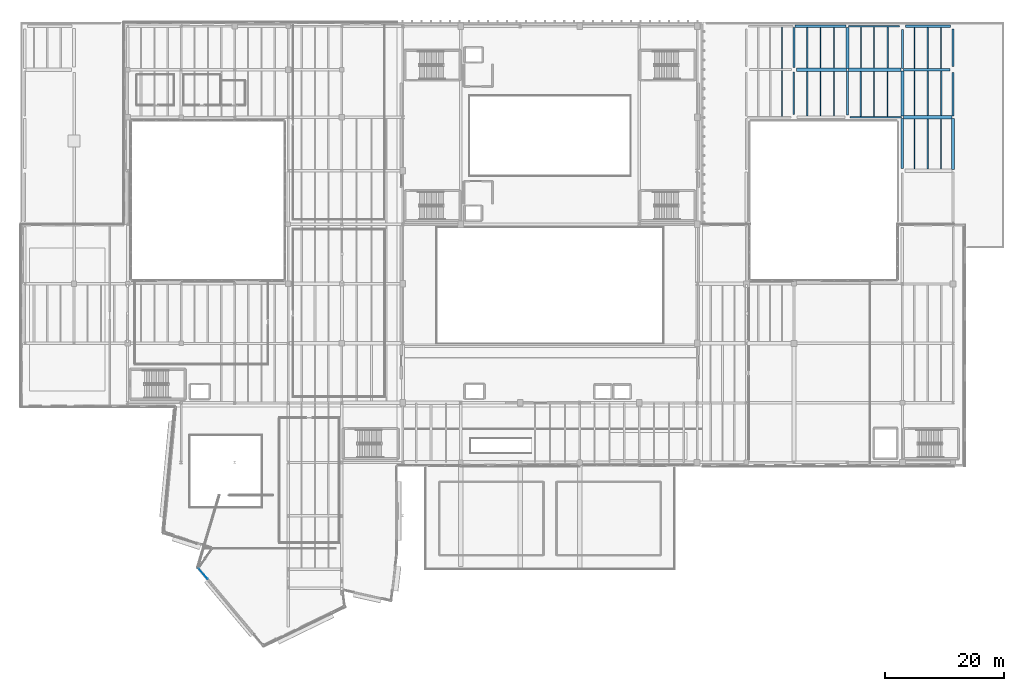
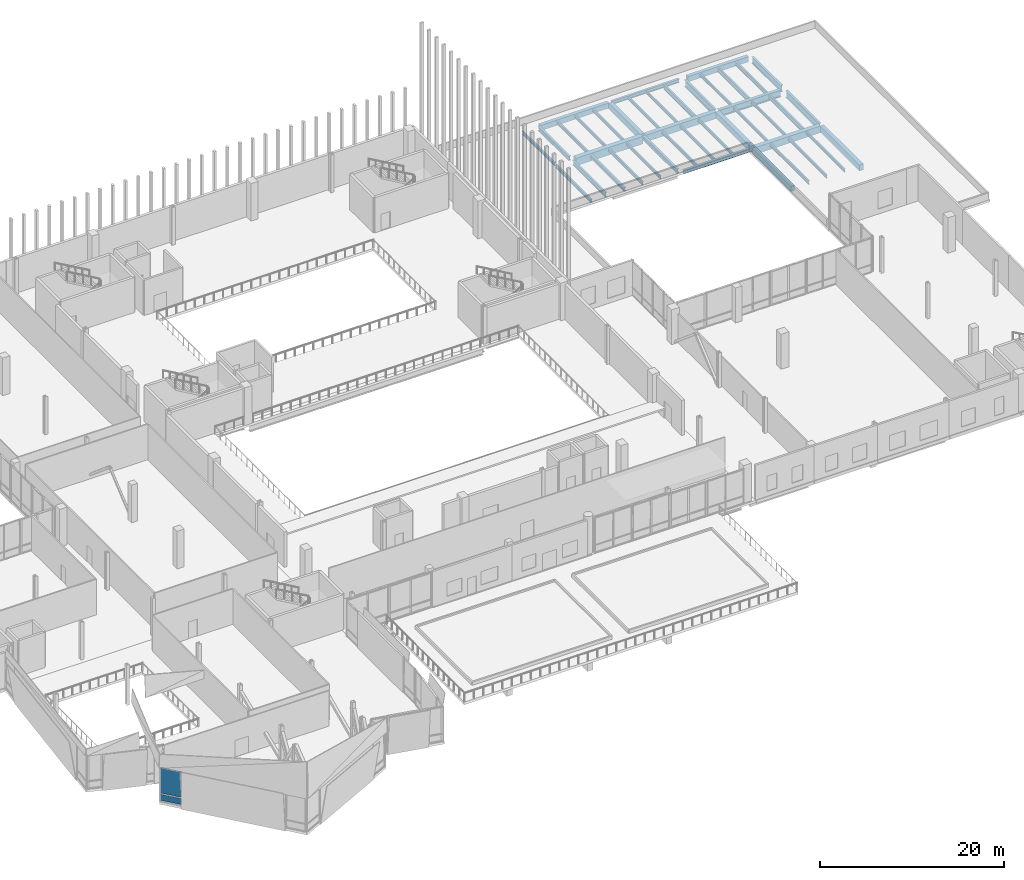
# One storey, part 34 of 60: 41 beams, 2 plates, 1 element without a shape of its own.
"""IFC4 building model written with IfcOpenShell, lengths in metres."""

import ifcopenshell
import ifcopenshell.guid

model = None  # the IFC model being written
_history = None  # IfcOwnerHistory: only IFC2X3 demands one
_inside = {}  # id of a spatial element -> (the spatial element, [elements in it])
_under = {}  # id of a project, library or spatial element -> (it, [spatial elements below it])
_declared = {}  # id of a project -> (the project, [libraries it declares])
_typed = {}  # id of a type object -> (the type object, [elements of that type])
_made_of = {}  # id of a material, layer set ... -> (it, [elements and type objects made of it])


def new_model(schema):
    """Start an empty IFC model of exactly this schema.

    Asked for "IFC4X3", IfcOpenShell would pick the latest addendum, in which some entities
    have other attributes; the version numbers below select the first issue.
    IFC2X3 requires an IfcOwnerHistory on every rooted entity: one is made here for all.
    """
    global model, _history
    if schema == "IFC4X3":
        model = ifcopenshell.file(schema_version=(4, 3, 0, 0))
    else:
        model = ifcopenshell.file(schema=schema)
    _inside.clear()
    _under.clear()
    _declared.clear()
    _typed.clear()
    _made_of.clear()
    _history = None
    if model.schema == "IFC2X3":
        org = make("IfcOrganization", Name="unknown")
        user = make(
            "IfcPersonAndOrganization",
            ThePerson=make("IfcPerson", FamilyName="unknown"),
            TheOrganization=org,
        )
        app = make(
            "IfcApplication",
            ApplicationDeveloper=org,
            Version="unknown",
            ApplicationFullName="unknown",
            ApplicationIdentifier="unknown",
        )
        _history = make(
            "IfcOwnerHistory",
            OwningUser=user,
            OwningApplication=app,
            ChangeAction="ADDED",
            CreationDate=0,
        )
    return model


def make(cls, **values):
    """One entity of the class cls with the attributes given. An attribute that is None is left unset."""
    return model.create_entity(
        cls, **{name: value for name, value in values.items() if value is not None}
    )


def rooted(cls, **values):
    """An entity with a GlobalId (a new one), such as an element, a storey or a relation."""
    return make(cls, GlobalId=ifcopenshell.guid.new(), OwnerHistory=_history, **values)


def si_unit(unit_type, name, prefix=None):
    """IfcSIUnit, for example si_unit("LENGTHUNIT", "METRE", prefix="MILLI")."""
    return make("IfcSIUnit", UnitType=unit_type, Prefix=prefix, Name=name)


def assignment(units):
    """IfcUnitAssignment: the units of a project."""
    return None if units is None else make("IfcUnitAssignment", Units=units)


def point(xyz):
    """IfcCartesianPoint."""
    return None if xyz is None else make("IfcCartesianPoint", Coordinates=xyz)


def direction(xyz):
    """IfcDirection."""
    return None if xyz is None else make("IfcDirection", DirectionRatios=xyz)


def frame(location, z_axis=None, x_axis=None):
    """IfcAxis2Placement3D, a coordinate frame: its origin and axes. An axis left out is left unset."""
    return make(
        "IfcAxis2Placement3D",
        Location=point(location),
        Axis=direction(z_axis),
        RefDirection=direction(x_axis),
    )


def frame_2d(location, x_axis=None):
    """IfcAxis2Placement2D, a coordinate frame in the plane: its origin and x axis."""
    return make(
        "IfcAxis2Placement2D", Location=point(location), RefDirection=direction(x_axis)
    )


def origin():
    """The frame at (0, 0, 0) with its axes left unset."""
    return frame((0.0, 0.0, 0.0))


def origin_2d():
    """The frame at (0, 0) in the plane with its x axis left unset."""
    return frame_2d((0.0, 0.0))


def place(relative_to, where):
    """IfcLocalPlacement: puts the frame where relative to a parent placement (None: the world)."""
    return make(
        "IfcLocalPlacement", PlacementRelTo=relative_to, RelativePlacement=where
    )


def context(
    kind, dimensions, precision=None, world=None, true_north=None, identifier=None
):
    """IfcGeometricRepresentationContext, for example the 3D "Model" context."""
    return make(
        "IfcGeometricRepresentationContext",
        ContextIdentifier=identifier,
        ContextType=kind,
        CoordinateSpaceDimension=dimensions,
        Precision=precision,
        WorldCoordinateSystem=world,
        TrueNorth=true_north,
    )


def subcontext(parent, identifier, kind, view, scale=None):
    """IfcGeometricRepresentationSubContext, for example "Body" below "Model"."""
    return make(
        "IfcGeometricRepresentationSubContext",
        ContextIdentifier=identifier,
        ContextType=kind,
        ParentContext=parent,
        TargetScale=scale,
        TargetView=view,
    )


def project(units=None, contexts=None):
    """IfcProject with its units and contexts."""
    return rooted(
        "IfcProject",
        Name="project",
        RepresentationContexts=contexts,
        UnitsInContext=assignment(units),
    )


def spatial(cls, under=None, at=None, **own):
    """A site, building, storey or space (cls), placed at a placement, below another one or the project."""
    s = rooted(cls, ObjectPlacement=at, **own)
    if under is not None:
        _under.setdefault(under.id(), (under, []))[1].append(s)
    return s


def profile(cls, at=None, kind="AREA", **sizes):
    """A parametric profile (cls). Its sizes go by their IFC names, for example OverallWidth=200.0."""
    return make(cls, ProfileType=kind, Position=at, **sizes)


def rectangle(**sizes):
    """IfcRectangleProfileDef."""
    return profile("IfcRectangleProfileDef", **sizes)


def i_section(**sizes):
    """IfcIShapeProfileDef."""
    return profile("IfcIShapeProfileDef", **sizes)


def extrude(swept, where, along, depth):
    """IfcExtrudedAreaSolid: the profile swept, set in the frame where, extruded along a direction by depth."""
    return make(
        "IfcExtrudedAreaSolid",
        SweptArea=swept,
        Position=where,
        ExtrudedDirection=direction(along),
        Depth=depth,
    )


def shape(context_of_items, identifier, shape_type, items):
    """IfcShapeRepresentation: the items that make up one representation, for example the "Body"."""
    return make(
        "IfcShapeRepresentation",
        ContextOfItems=context_of_items,
        RepresentationIdentifier=identifier,
        RepresentationType=shape_type,
        Items=items,
    )


def material(Name=None, Category=None):
    """IfcMaterial."""
    return make("IfcMaterial", Name=Name, Category=Category)


def layer(
    of_material, thickness, ventilated=None, Name=None, Category=None, Priority=None
):
    """IfcMaterialLayer: one layer of a wall or slab, of a material (None: an air gap)."""
    return make(
        "IfcMaterialLayer",
        Material=of_material,
        LayerThickness=thickness,
        IsVentilated=ventilated,
        Name=Name,
        Category=Category,
        Priority=Priority,
    )


def layer_set(layers, Name=None):
    """IfcMaterialLayerSet."""
    return make("IfcMaterialLayerSet", MaterialLayers=layers, LayerSetName=Name)


def material_profile(
    of_material, cross_section, Name=None, Category=None, Priority=None
):
    """IfcMaterialProfile: a cross section and its material."""
    return make(
        "IfcMaterialProfile",
        Name=Name,
        Material=of_material,
        Profile=cross_section,
        Priority=Priority,
        Category=Category,
    )


def profile_set(profiles, Name=None, composite=None):
    """IfcMaterialProfileSet."""
    return make(
        "IfcMaterialProfileSet",
        Name=Name,
        MaterialProfiles=profiles,
        CompositeProfile=composite,
    )


def made_of(thing, what):
    """Note that an element or type object is made of a material, layer set ...; save() writes the relation."""
    if what is not None:
        _made_of.setdefault(what.id(), (what, []))[1].append(thing)
    return thing


def type_object(cls, material=None, **own):
    """A type object (cls), such as IfcWallType, which elements share."""
    return made_of(rooted(cls, **own), material)


def element(
    cls,
    number,
    at=None,
    inside=None,
    cuts=None,
    type_object=None,
    material=None,
    context=None,
    identifier="Body",
    shape_type=None,
    held_by="IfcProductDefinitionShape",
    body=None,
    shapes=None,
    **own,
):
    """One element of the class cls, such as IfcWall. Its Tag is "e" and its number.

    at: its placement. inside: the storey or other place that contains it. cuts: it is an
    opening in that element (IfcRelVoidsElement). A single representation is given by context,
    identifier, shape_type and body (its items); several are given by shapes. held_by: the class
    of the entity that holds the representations. save() writes the other relations.
    """
    e = rooted(cls, Tag="e%d" % number, ObjectPlacement=at, **own)
    if body is not None:
        shapes = [shape(context, identifier, shape_type, body)]
    if shapes is not None:
        e.Representation = make(held_by, Representations=shapes)
    if inside is not None:
        _inside.setdefault(inside.id(), (inside, []))[1].append(e)
    if cuts is not None:
        rooted(
            "IfcRelVoidsElement", RelatingBuildingElement=cuts, RelatedOpeningElement=e
        )
    if type_object is not None:
        _typed.setdefault(type_object.id(), (type_object, []))[1].append(e)
    return made_of(e, material)


def aggregate(whole, parts):
    """IfcRelAggregates: a whole, such as a stair, and the parts it consists of."""
    return rooted("IfcRelAggregates", RelatingObject=whole, RelatedObjects=parts)


def save(model, path):
    """Write the relations noted so far, then the file.

    IfcRelAggregates (storeys below a building ...), IfcRelContainedInSpatialStructure (elements
    in a storey), IfcRelDefinesByType, IfcRelAssociatesMaterial and IfcRelDeclares: one each for
    every whole, place, type object, material and project.
    """
    for whole, parts in _under.values():
        aggregate(whole, parts)
    for where, things in _inside.values():
        rooted(
            "IfcRelContainedInSpatialStructure",
            RelatedElements=things,
            RelatingStructure=where,
        )
    for kind, things in _typed.values():
        rooted("IfcRelDefinesByType", RelatedObjects=things, RelatingType=kind)
    for what, things in _made_of.values():
        rooted("IfcRelAssociatesMaterial", RelatedObjects=things, RelatingMaterial=what)
    for by, libraries in _declared.values():
        rooted("IfcRelDeclares", RelatingContext=by, RelatedDefinitions=libraries)
    model.write(path)


model = new_model("IFC4")

# Units and contexts
model_context = context("Model", 3, precision=1e-05, world=origin(), true_north=direction((0.0, 1.0)))
body_context = subcontext(model_context, "Body", "Model", "MODEL_VIEW")
ifc_project = project(units=[si_unit("LENGTHUNIT", "METRE"), si_unit("AREAUNIT", "SQUARE_METRE"), si_unit("VOLUMEUNIT", "CUBIC_METRE"), si_unit("PLANEANGLEUNIT", "RADIAN"), si_unit("MASSUNIT", "GRAM", prefix="KILO")], contexts=[model_context])

# Site, building, storey
site_placement = place(None, origin())
site = spatial("IfcSite", under=ifc_project, at=site_placement, CompositionType="ELEMENT")
building_placement = place(site_placement, origin())
building = spatial("IfcBuilding", under=site, at=building_placement, Name="Trimount Lyric Opera House", CompositionType="ELEMENT")
storey_placement = place(building_placement, frame((0.0, 0.0, 15.0)))
storey = spatial("IfcBuildingStorey", under=building, at=storey_placement, Name="L03", CompositionType="ELEMENT", Elevation=15.0)

# Beams
ifc_material_1 = material(Name="Steel ASTM A992 Grade 50", Category="steel")
ifc_material_profile_1 = material_profile(ifc_material_1, i_section(OverallWidth=0.4189453125, OverallDepth=0.927001953125, WebThickness=0.019287109375, FlangeThickness=0.031982421875, FilletRadius=0.02392578125, at=origin_2d()), Name="W36X231")
ifc_profile_set_1 = profile_set([ifc_material_profile_1], Name="Steel ASTM A992 Grade 50")
beam_type_1 = type_object("IfcBeamType", Name="B-02", PredefinedType="BEAM", material=ifc_profile_set_1)
beam_1_placement = place(storey_placement, frame((148.439453125, 110.0, -0.75341796875), z_axis=(1.0, 0.0, 0.0), x_axis=(0.0, 1.0, 0.0)))
element("IfcBeam", 1, at=beam_1_placement, inside=storey, type_object=beam_type_1, Name="L03 girder X-1014", PredefinedType="BEAM", context=body_context, shape_type="SweptSolid", body=[
    extrude(i_section(OverallWidth=0.4189453125, OverallDepth=0.927001953125, WebThickness=0.019287109375, FlangeThickness=0.031982421875, FilletRadius=0.02392578125, at=origin_2d()), origin(), (0.0, 0.0, 1.0), 7.820556640625),
])
ifc_material_2 = material(Name="Steel ASTM A992 Grade 50", Category="steel")
ifc_material_profile_2 = material_profile(ifc_material_2, i_section(OverallWidth=0.304931640625, OverallDepth=0.9189453125, WebThickness=0.017333984375, FlangeThickness=0.02783203125, FilletRadius=0.02001953125, at=origin_2d()), Name="W36X170")
ifc_profile_set_2 = profile_set([ifc_material_profile_2], Name="Steel ASTM A992 Grade 50")
beam_type_2 = type_object("IfcBeamType", Name="B-03", PredefinedType="BEAM", material=ifc_profile_set_2)
beam_2_placement = place(storey_placement, frame((148.239990234375, 110.193115234375, -0.74951171875), z_axis=(0.0, 1.0, 0.0), x_axis=(-1.0, 0.0, 0.0)))
element("IfcBeam", 2, at=beam_2_placement, inside=storey, type_object=beam_type_2, Name="L03 girder Y-1117", PredefinedType="BEAM", context=body_context, shape_type="SweptSolid", body=[
    extrude(i_section(OverallWidth=0.304931640625, OverallDepth=0.9189453125, WebThickness=0.017333984375, FlangeThickness=0.02783203125, FilletRadius=0.02001953125, at=origin_2d()), origin(), (0.0, 0.0, 1.0), 6.5869140625),
])
beam_3_placement = place(storey_placement, frame((156.760009765625, 102.193115234375, -0.74951171875), z_axis=(0.0, 1.0, 0.0), x_axis=(-1.0, 0.0, 0.0)))
element("IfcBeam", 3, at=beam_3_placement, inside=storey, type_object=beam_type_2, Name="L03 girder Y-1123", PredefinedType="BEAM", context=body_context, shape_type="SweptSolid", body=[
    extrude(i_section(OverallWidth=0.304931640625, OverallDepth=0.9189453125, WebThickness=0.017333984375, FlangeThickness=0.02783203125, FilletRadius=0.02001953125, at=origin_2d()), origin(), (0.0, 0.0, 1.0), 7.306884765625),
])
ifc_material_3 = material(Name="Steel ASTM A992 Grade 50", Category="steel")
ifc_material_profile_3 = material_profile(ifc_material_3, i_section(OverallWidth=0.2919921875, OverallDepth=0.845947265625, WebThickness=0.015380859375, FlangeThickness=0.0244140625, FilletRadius=0.01806640625, at=origin_2d()), Name="W33X141")
ifc_profile_set_3 = profile_set([ifc_material_profile_3], Name="Steel ASTM A992 Grade 50")
beam_type_3 = type_object("IfcBeamType", Name="B-05", PredefinedType="BEAM", material=ifc_profile_set_3)
beam_4_placement = place(storey_placement, frame((156.760009765625, 110.5, -0.712890625), z_axis=(0.0, 1.0, 0.0), x_axis=(-1.0, 0.0, 0.0)))
element("IfcBeam", 4, at=beam_4_placement, inside=storey, type_object=beam_type_3, Name="L03 girder Y-1124", PredefinedType="BEAM", context=body_context, shape_type="SweptSolid", body=[
    extrude(i_section(OverallWidth=0.2919921875, OverallDepth=0.845947265625, WebThickness=0.015380859375, FlangeThickness=0.0244140625, FilletRadius=0.01806640625, at=origin_2d()), origin(), (0.0, 0.0, 1.0), 6.3798828125),
])
ifc_material_4 = material(Name="Steel ASTM A992 Grade 50", Category="steel")
ifc_material_profile_4 = material_profile(ifc_material_4, i_section(OverallWidth=0.22998046875, OverallDepth=0.616943359375, WebThickness=0.01318359375, FlangeThickness=0.022216796875, FilletRadius=0.013916015625, at=origin_2d()), Name="W24X94")
ifc_profile_set_4 = profile_set([ifc_material_profile_4], Name="Steel ASTM A992 Grade 50")
beam_type_4 = type_object("IfcBeamType", Name="B-11", PredefinedType="BEAM", material=ifc_profile_set_4)
beam_5_placement = place(storey_placement, frame((130.0, 102.5, -0.598388671875), z_axis=(0.0, 1.0, 0.0), x_axis=(-1.0, 0.0, 0.0)))
element("IfcBeam", 5, at=beam_5_placement, inside=storey, type_object=beam_type_4, Name="L03 girder Y-1106", PredefinedType="BEAM", context=body_context, shape_type="SweptSolid", body=[
    extrude(i_section(OverallWidth=0.22998046875, OverallDepth=0.616943359375, WebThickness=0.01318359375, FlangeThickness=0.022216796875, FilletRadius=0.013916015625, at=origin_2d()), origin(), (0.0, 0.0, 1.0), 7.10009765625),
])
ifc_material_5 = material(Name="Steel ASTM A992 Grade 50", Category="steel")
ifc_material_profile_5 = material_profile(ifc_material_5, i_section(OverallWidth=0.31201171875, OverallDepth=0.5458984375, WebThickness=0.013916015625, FlangeThickness=0.022216796875, FilletRadius=0.014892578125, at=origin_2d()), Name="W21X111")
ifc_profile_set_5 = profile_set([ifc_material_profile_5], Name="Steel ASTM A992 Grade 50")
beam_type_5 = type_object("IfcBeamType", Name="B-12", PredefinedType="BEAM", material=ifc_profile_set_5)
beam_6_placement = place(storey_placement, frame((130.0, 110.39990234375, -0.56298828125), z_axis=(0.0, 1.0, 0.0), x_axis=(-1.0, 0.0, 0.0)))
element("IfcBeam", 6, at=beam_6_placement, inside=storey, type_object=beam_type_5, Name="L03 girder Y-1107", PredefinedType="BEAM", context=body_context, shape_type="SweptSolid", body=[
    extrude(i_section(OverallWidth=0.31201171875, OverallDepth=0.5458984375, WebThickness=0.013916015625, FlangeThickness=0.022216796875, FilletRadius=0.014892578125, at=origin_2d()), origin(), (0.0, 0.0, 1.0), 6.696044921875),
])
beam_7_placement = place(storey_placement, frame((139.0, 102.39990234375, -0.56298828125), z_axis=(0.0, 1.0, 0.0), x_axis=(-1.0, 0.0, 0.0)))
element("IfcBeam", 7, at=beam_7_placement, inside=storey, type_object=beam_type_5, Name="L03 girder Y-1108", PredefinedType="BEAM", context=body_context, shape_type="SweptSolid", body=[
    extrude(i_section(OverallWidth=0.31201171875, OverallDepth=0.5458984375, WebThickness=0.013916015625, FlangeThickness=0.022216796875, FilletRadius=0.014892578125, at=origin_2d()), origin(), (0.0, 0.0, 1.0), 7.416015625),
])
ifc_material_6 = material(Name="Concrete C40/50", Category="concrete")
ifc_material_profile_6 = material_profile(ifc_material_6, rectangle(XDim=0.60009765625, YDim=1.0, at=origin_2d()), Name="RC600X1000")
ifc_profile_set_6 = profile_set([ifc_material_profile_6], Name="Concrete C40/50")
beam_type_6 = type_object("IfcBeamType", Name="B-13", PredefinedType="BEAM", material=ifc_profile_set_6)
beam_8_placement = place(storey_placement, frame((130.39990234375, 110.0, -0.7900390625), z_axis=(1.0, 0.0, 0.0), x_axis=(0.0, 1.0, 0.0)))
element("IfcBeam", 8, at=beam_8_placement, inside=storey, type_object=beam_type_6, Name="L03 girder X-1012", PredefinedType="BEAM", context=body_context, shape_type="SweptSolid", body=[
    extrude(rectangle(XDim=0.60009765625, YDim=1.0, at=origin_2d()), origin(), (0.0, 0.0, 1.0), 8.41357421875),
])
ifc_material_7 = material(Name="Concrete C40/50", Category="concrete")
ifc_material_profile_7 = material_profile(ifc_material_7, rectangle(XDim=0.550048828125, YDim=0.89990234375, at=origin_2d()), Name="RC550X900")
ifc_profile_set_7 = profile_set([ifc_material_profile_7], Name="Concrete C40/50")
beam_type_7 = type_object("IfcBeamType", Name="B-14", PredefinedType="BEAM", material=ifc_profile_set_7)
beam_9_placement = place(storey_placement, frame((148.426513671875, 102.0, -0.739990234375), z_axis=(1.0, 0.0, 0.0), x_axis=(0.0, 1.0, 0.0)))
element("IfcBeam", 9, at=beam_9_placement, inside=storey, type_object=beam_type_7, Name="L03 girder X-1005", PredefinedType="BEAM", context=body_context, shape_type="SweptSolid", body=[
    extrude(rectangle(XDim=0.550048828125, YDim=0.89990234375, at=origin_2d()), origin(), (0.0, 0.0, 1.0), 8.134033203125),
])
beam_10_placement = place(storey_placement, frame((139.1865234375, 110.0, -0.739990234375), z_axis=(1.0, 0.0, 0.0), x_axis=(0.0, 1.0, 0.0)))
element("IfcBeam", 10, at=beam_10_placement, inside=storey, type_object=beam_type_7, Name="L03 girder X-1013", PredefinedType="BEAM", context=body_context, shape_type="SweptSolid", body=[
    extrude(rectangle(XDim=0.550048828125, YDim=0.89990234375, at=origin_2d()), origin(), (0.0, 0.0, 1.0), 8.85400390625),
])
ifc_material_8 = material(Name="Concrete C40/50", Category="concrete")
ifc_material_profile_8 = material_profile(ifc_material_8, rectangle(XDim=0.5, YDim=0.800048828125, at=origin_2d()), Name="RC500X800")
ifc_profile_set_8 = profile_set([ifc_material_profile_8], Name="Concrete C40/50")
beam_type_8 = type_object("IfcBeamType", Name="B-15", PredefinedType="BEAM", material=ifc_profile_set_8)
beam_11_placement = place(storey_placement, frame((139.0, 110.18408203125, -0.68994140625), z_axis=(0.0, 1.0, 0.0), x_axis=(-1.0, 0.0, 0.0)))
element("IfcBeam", 11, at=beam_11_placement, inside=storey, type_object=beam_type_8, Name="L03 girder Y-1109", PredefinedType="BEAM", context=body_context, shape_type="SweptSolid", body=[
    extrude(rectangle(XDim=0.5, YDim=0.800048828125, at=origin_2d()), origin(), (0.0, 0.0, 1.0), 6.90283203125),
])
beam_12_placement = place(storey_placement, frame((148.239990234375, 102.18408203125, -0.68994140625), z_axis=(0.0, 1.0, 0.0), x_axis=(-1.0, 0.0, 0.0)))
element("IfcBeam", 12, at=beam_12_placement, inside=storey, type_object=beam_type_8, Name="L03 girder Y-1116", PredefinedType="BEAM", context=body_context, shape_type="SweptSolid", body=[
    extrude(rectangle(XDim=0.5, YDim=0.800048828125, at=origin_2d()), origin(), (0.0, 0.0, 1.0), 7.622802734375),
])
beam_13_placement = place(storey_placement, frame((156.760009765625, 93.18408203125, -0.68994140625), z_axis=(0.0, 1.0, 0.0), x_axis=(-1.0, 0.0, 0.0)))
element("IfcBeam", 13, at=beam_13_placement, inside=storey, type_object=beam_type_8, Name="L03 girder Y-1122", PredefinedType="BEAM", context=body_context, shape_type="SweptSolid", body=[
    extrude(rectangle(XDim=0.5, YDim=0.800048828125, at=origin_2d()), origin(), (0.0, 0.0, 1.0), 8.622802734375),
])
ifc_material_9 = material(Name="Steel ASTM A992 Grade 50", Category="steel")
ifc_material_profile_9 = material_profile(ifc_material_9, i_section(OverallWidth=0.22802734375, OverallDepth=0.60205078125, WebThickness=0.010498046875, FlangeThickness=0.014892578125, FilletRadius=0.012939453125, at=origin_2d()), Name="W24X68")
ifc_profile_set_9 = profile_set([ifc_material_profile_9], Name="Steel ASTM A992 Grade 50")
beam_type_9 = type_object("IfcBeamType", Name="J-01", PredefinedType="BEAM", material=ifc_profile_set_9)
beam_14_placement = place(storey_placement, frame((145.75, 110.27099609375, -0.591064453125), z_axis=(0.0, 1.0, 0.0), x_axis=(-1.0, 0.0, 0.0)))
element("IfcBeam", 14, at=beam_14_placement, inside=storey, type_object=beam_type_9, Name="L03 composite floor joist 1115", PredefinedType="BEAM", context=body_context, shape_type="SweptSolid", body=[
    extrude(i_section(OverallWidth=0.22802734375, OverallDepth=0.60205078125, WebThickness=0.010498046875, FlangeThickness=0.014892578125, FilletRadius=0.012939453125, at=origin_2d()), origin(), (0.0, 0.0, 1.0), 6.8720703125),
])
beam_15_placement = place(storey_placement, frame((154.75, 102.27099609375, -0.591064453125), z_axis=(0.0, 1.0, 0.0), x_axis=(-1.0, 0.0, 0.0)))
element("IfcBeam", 15, at=beam_15_placement, inside=storey, type_object=beam_type_9, Name="L03 composite floor joist 1127", PredefinedType="BEAM", context=body_context, shape_type="SweptSolid", body=[
    extrude(i_section(OverallWidth=0.22802734375, OverallDepth=0.60205078125, WebThickness=0.010498046875, FlangeThickness=0.014892578125, FilletRadius=0.012939453125, at=origin_2d()), origin(), (0.0, 0.0, 1.0), 7.5234375),
])
beam_16_placement = place(storey_placement, frame((152.5, 110.20556640625, -0.591064453125), z_axis=(0.0, 1.0, 0.0), x_axis=(-1.0, 0.0, 0.0)))
element("IfcBeam", 16, at=beam_16_placement, inside=storey, type_object=beam_type_9, Name="L03 composite floor joist 1129", PredefinedType="BEAM", context=body_context, shape_type="SweptSolid", body=[
    extrude(i_section(OverallWidth=0.22802734375, OverallDepth=0.60205078125, WebThickness=0.010498046875, FlangeThickness=0.014892578125, FilletRadius=0.012939453125, at=origin_2d()), origin(), (0.0, 0.0, 1.0), 6.853515625),
])
ifc_material_10 = material(Name="Steel ASTM A992 Grade 50", Category="steel")
ifc_material_profile_10 = material_profile(ifc_material_10, i_section(OverallWidth=0.2099609375, OverallDepth=0.532958984375, WebThickness=0.01025390625, FlangeThickness=0.015625, FilletRadius=0.012939453125, at=origin_2d()), Name="W21X62")
ifc_profile_set_10 = profile_set([ifc_material_profile_10], Name="Steel ASTM A992 Grade 50")
beam_type_10 = type_object("IfcBeamType", Name="J-02", PredefinedType="BEAM", material=ifc_profile_set_10)
beam_17_placement = place(storey_placement, frame((154.75, 110.20556640625, -0.556396484375), z_axis=(0.0, 1.0, 0.0), x_axis=(-1.0, 0.0, 0.0)))
element("IfcBeam", 17, at=beam_17_placement, inside=storey, type_object=beam_type_10, Name="L03 composite floor joist 1130", PredefinedType="BEAM", context=body_context, shape_type="SweptSolid", body=[
    extrude(i_section(OverallWidth=0.2099609375, OverallDepth=0.532958984375, WebThickness=0.01025390625, FlangeThickness=0.015625, FilletRadius=0.012939453125, at=origin_2d()), origin(), (0.0, 0.0, 1.0), 6.853515625),
])
ifc_material_11 = material(Name="Steel ASTM A992 Grade 50", Category="steel")
ifc_material_profile_11 = material_profile(ifc_material_11, i_section(OverallWidth=0.281982421875, OverallDepth=0.467041015625, WebThickness=0.01220703125, FlangeThickness=0.01953125, FilletRadius=0.012939453125, at=origin_2d()), Name="W18X86")
ifc_profile_set_11 = profile_set([ifc_material_profile_11], Name="Steel ASTM A992 Grade 50")
beam_type_11 = type_object("IfcBeamType", Name="J-03", PredefinedType="BEAM", material=ifc_profile_set_11)
beam_18_placement = place(storey_placement, frame((132.25, 102.220947265625, -0.5234375), z_axis=(0.0, 1.0, 0.0), x_axis=(-1.0, 0.0, 0.0)))
element("IfcBeam", 18, at=beam_18_placement, inside=storey, type_object=beam_type_11, Name="L03 composite floor joist 1104", PredefinedType="BEAM", context=body_context, shape_type="SweptSolid", body=[
    extrude(i_section(OverallWidth=0.281982421875, OverallDepth=0.467041015625, WebThickness=0.01220703125, FlangeThickness=0.01953125, FilletRadius=0.012939453125, at=origin_2d()), origin(), (0.0, 0.0, 1.0), 7.483154296875),
])
ifc_material_12 = material(Name="Steel ASTM A992 Grade 50", Category="steel")
ifc_material_profile_12 = material_profile(ifc_material_12, i_section(OverallWidth=0.19091796875, OverallDepth=0.45703125, WebThickness=0.009033203125, FlangeThickness=0.014404296875, FilletRadius=0.010986328125, at=origin_2d()), Name="W18X50")
ifc_profile_set_12 = profile_set([ifc_material_profile_12], Name="Steel ASTM A992 Grade 50")
beam_type_12 = type_object("IfcBeamType", Name="J-04", PredefinedType="BEAM", material=ifc_profile_set_12)
beam_19_placement = place(storey_placement, frame((128.0, 102.136962890625, -0.5185546875), z_axis=(0.0, 1.0, 0.0), x_axis=(-1.0, 0.0, 0.0)))
element("IfcBeam", 19, at=beam_19_placement, inside=storey, type_object=beam_type_12, Name="L03 composite floor joist 1100", PredefinedType="BEAM", context=body_context, shape_type="SweptSolid", body=[
    extrude(i_section(OverallWidth=0.19091796875, OverallDepth=0.45703125, WebThickness=0.009033203125, FlangeThickness=0.014404296875, FilletRadius=0.010986328125, at=origin_2d()), origin(), (0.0, 0.0, 1.0), 7.703125),
])
beam_20_placement = place(storey_placement, frame((134.5, 102.220947265625, -0.5185546875), z_axis=(0.0, 1.0, 0.0), x_axis=(-1.0, 0.0, 0.0)))
element("IfcBeam", 20, at=beam_20_placement, inside=storey, type_object=beam_type_12, Name="L03 composite floor joist 1105", PredefinedType="BEAM", context=body_context, shape_type="SweptSolid", body=[
    extrude(i_section(OverallWidth=0.19091796875, OverallDepth=0.45703125, WebThickness=0.009033203125, FlangeThickness=0.014404296875, FilletRadius=0.010986328125, at=origin_2d()), origin(), (0.0, 0.0, 1.0), 7.483154296875),
])
beam_21_placement = place(storey_placement, frame((132.25, 110.2958984375, -0.5185546875), z_axis=(0.0, 1.0, 0.0), x_axis=(-1.0, 0.0, 0.0)))
element("IfcBeam", 21, at=beam_21_placement, inside=storey, type_object=beam_type_12, Name="L03 composite floor joist 1107", PredefinedType="BEAM", context=body_context, shape_type="SweptSolid", body=[
    extrude(i_section(OverallWidth=0.19091796875, OverallDepth=0.45703125, WebThickness=0.009033203125, FlangeThickness=0.014404296875, FilletRadius=0.010986328125, at=origin_2d()), origin(), (0.0, 0.0, 1.0), 6.76318359375),
])
beam_22_placement = place(storey_placement, frame((141.25, 102.136962890625, -0.5185546875), z_axis=(0.0, 1.0, 0.0), x_axis=(-1.0, 0.0, 0.0)))
element("IfcBeam", 22, at=beam_22_placement, inside=storey, type_object=beam_type_12, Name="L03 composite floor joist 1110", PredefinedType="BEAM", context=body_context, shape_type="SweptSolid", body=[
    extrude(i_section(OverallWidth=0.19091796875, OverallDepth=0.45703125, WebThickness=0.009033203125, FlangeThickness=0.014404296875, FilletRadius=0.010986328125, at=origin_2d()), origin(), (0.0, 0.0, 1.0), 7.592041015625),
])
beam_23_placement = place(storey_placement, frame((150.25, 93.2958984375, -0.5185546875), z_axis=(0.0, 1.0, 0.0), x_axis=(-1.0, 0.0, 0.0)))
element("IfcBeam", 23, at=beam_23_placement, inside=storey, type_object=beam_type_12, Name="L03 composite floor joist 1122", PredefinedType="BEAM", context=body_context, shape_type="SweptSolid", body=[
    extrude(i_section(OverallWidth=0.19091796875, OverallDepth=0.45703125, WebThickness=0.009033203125, FlangeThickness=0.014404296875, FilletRadius=0.010986328125, at=origin_2d()), origin(), (0.0, 0.0, 1.0), 8.43310546875),
])
ifc_material_13 = material(Name="Steel ASTM A992 Grade 50", Category="steel")
ifc_material_profile_13 = material_profile(ifc_material_13, i_section(OverallWidth=0.180908203125, OverallDepth=0.4169921875, WebThickness=0.010986328125, FlangeThickness=0.018310546875, FilletRadius=0.010986328125, at=origin_2d()), Name="W16X57")
ifc_profile_set_13 = profile_set([ifc_material_profile_13], Name="Steel ASTM A992 Grade 50")
beam_type_13 = type_object("IfcBeamType", Name="J-05", PredefinedType="BEAM", material=ifc_profile_set_13)
beam_24_placement = place(storey_placement, frame((128.0, 110.159912109375, -0.49853515625), z_axis=(0.0, 1.0, 0.0), x_axis=(-1.0, 0.0, 0.0)))
element("IfcBeam", 24, at=beam_24_placement, inside=storey, type_object=beam_type_13, Name="L03 composite floor joist 1103", PredefinedType="BEAM", context=body_context, shape_type="SweptSolid", body=[
    extrude(i_section(OverallWidth=0.180908203125, OverallDepth=0.4169921875, WebThickness=0.010986328125, FlangeThickness=0.018310546875, FilletRadius=0.010986328125, at=origin_2d()), origin(), (0.0, 0.0, 1.0), 6.983154296875),
])
beam_25_placement = place(storey_placement, frame((136.75, 102.220947265625, -0.49853515625), z_axis=(0.0, 1.0, 0.0), x_axis=(-1.0, 0.0, 0.0)))
element("IfcBeam", 25, at=beam_25_placement, inside=storey, type_object=beam_type_13, Name="L03 composite floor joist 1106", PredefinedType="BEAM", context=body_context, shape_type="SweptSolid", body=[
    extrude(i_section(OverallWidth=0.180908203125, OverallDepth=0.4169921875, WebThickness=0.010986328125, FlangeThickness=0.018310546875, FilletRadius=0.010986328125, at=origin_2d()), origin(), (0.0, 0.0, 1.0), 7.483154296875),
])
beam_26_placement = place(storey_placement, frame((134.5, 110.2958984375, -0.49853515625), z_axis=(0.0, 1.0, 0.0), x_axis=(-1.0, 0.0, 0.0)))
element("IfcBeam", 26, at=beam_26_placement, inside=storey, type_object=beam_type_13, Name="L03 composite floor joist 1108", PredefinedType="BEAM", context=body_context, shape_type="SweptSolid", body=[
    extrude(i_section(OverallWidth=0.180908203125, OverallDepth=0.4169921875, WebThickness=0.010986328125, FlangeThickness=0.018310546875, FilletRadius=0.010986328125, at=origin_2d()), origin(), (0.0, 0.0, 1.0), 6.76318359375),
])
beam_27_placement = place(storey_placement, frame((143.5, 102.136962890625, -0.49853515625), z_axis=(0.0, 1.0, 0.0), x_axis=(-1.0, 0.0, 0.0)))
element("IfcBeam", 27, at=beam_27_placement, inside=storey, type_object=beam_type_13, Name="L03 composite floor joist 1111", PredefinedType="BEAM", context=body_context, shape_type="SweptSolid", body=[
    extrude(i_section(OverallWidth=0.180908203125, OverallDepth=0.4169921875, WebThickness=0.010986328125, FlangeThickness=0.018310546875, FilletRadius=0.010986328125, at=origin_2d()), origin(), (0.0, 0.0, 1.0), 7.592041015625),
])
beam_28_placement = place(storey_placement, frame((141.25, 110.27099609375, -0.49853515625), z_axis=(0.0, 1.0, 0.0), x_axis=(-1.0, 0.0, 0.0)))
element("IfcBeam", 28, at=beam_28_placement, inside=storey, type_object=beam_type_13, Name="L03 composite floor joist 1113", PredefinedType="BEAM", context=body_context, shape_type="SweptSolid", body=[
    extrude(i_section(OverallWidth=0.180908203125, OverallDepth=0.4169921875, WebThickness=0.010986328125, FlangeThickness=0.018310546875, FilletRadius=0.010986328125, at=origin_2d()), origin(), (0.0, 0.0, 1.0), 6.8720703125),
])
beam_29_placement = place(storey_placement, frame((152.5, 93.2958984375, -0.49853515625), z_axis=(0.0, 1.0, 0.0), x_axis=(-1.0, 0.0, 0.0)))
element("IfcBeam", 29, at=beam_29_placement, inside=storey, type_object=beam_type_13, Name="L03 composite floor joist 1123", PredefinedType="BEAM", context=body_context, shape_type="SweptSolid", body=[
    extrude(i_section(OverallWidth=0.180908203125, OverallDepth=0.4169921875, WebThickness=0.010986328125, FlangeThickness=0.018310546875, FilletRadius=0.010986328125, at=origin_2d()), origin(), (0.0, 0.0, 1.0), 8.43310546875),
])
beam_30_placement = place(storey_placement, frame((150.25, 102.27099609375, -0.49853515625), z_axis=(0.0, 1.0, 0.0), x_axis=(-1.0, 0.0, 0.0)))
element("IfcBeam", 30, at=beam_30_placement, inside=storey, type_object=beam_type_13, Name="L03 composite floor joist 1125", PredefinedType="BEAM", context=body_context, shape_type="SweptSolid", body=[
    extrude(i_section(OverallWidth=0.180908203125, OverallDepth=0.4169921875, WebThickness=0.010986328125, FlangeThickness=0.018310546875, FilletRadius=0.010986328125, at=origin_2d()), origin(), (0.0, 0.0, 1.0), 7.5234375),
])
ifc_material_14 = material(Name="Steel ASTM A992 Grade 50", Category="steel")
ifc_material_profile_14 = material_profile(ifc_material_14, i_section(OverallWidth=0.177978515625, OverallDepth=0.404052734375, WebThickness=0.007568359375, FlangeThickness=0.010986328125, FilletRadius=0.010009765625, at=origin_2d()), Name="W16X36")
ifc_profile_set_14 = profile_set([ifc_material_profile_14], Name="Steel ASTM A992 Grade 50")
beam_type_14 = type_object("IfcBeamType", Name="J-06", PredefinedType="BEAM", material=ifc_profile_set_14)
beam_31_placement = place(storey_placement, frame((136.75, 110.2958984375, -0.491943359375), z_axis=(0.0, 1.0, 0.0), x_axis=(-1.0, 0.0, 0.0)))
element("IfcBeam", 31, at=beam_31_placement, inside=storey, type_object=beam_type_14, Name="L03 composite floor joist 1109", PredefinedType="BEAM", context=body_context, shape_type="SweptSolid", body=[
    extrude(i_section(OverallWidth=0.177978515625, OverallDepth=0.404052734375, WebThickness=0.007568359375, FlangeThickness=0.010986328125, FilletRadius=0.010009765625, at=origin_2d()), origin(), (0.0, 0.0, 1.0), 6.76318359375),
])
beam_32_placement = place(storey_placement, frame((145.75, 102.136962890625, -0.491943359375), z_axis=(0.0, 1.0, 0.0), x_axis=(-1.0, 0.0, 0.0)))
element("IfcBeam", 32, at=beam_32_placement, inside=storey, type_object=beam_type_14, Name="L03 composite floor joist 1112", PredefinedType="BEAM", context=body_context, shape_type="SweptSolid", body=[
    extrude(i_section(OverallWidth=0.177978515625, OverallDepth=0.404052734375, WebThickness=0.007568359375, FlangeThickness=0.010986328125, FilletRadius=0.010009765625, at=origin_2d()), origin(), (0.0, 0.0, 1.0), 7.592041015625),
])
beam_33_placement = place(storey_placement, frame((143.5, 110.27099609375, -0.491943359375), z_axis=(0.0, 1.0, 0.0), x_axis=(-1.0, 0.0, 0.0)))
element("IfcBeam", 33, at=beam_33_placement, inside=storey, type_object=beam_type_14, Name="L03 composite floor joist 1114", PredefinedType="BEAM", context=body_context, shape_type="SweptSolid", body=[
    extrude(i_section(OverallWidth=0.177978515625, OverallDepth=0.404052734375, WebThickness=0.007568359375, FlangeThickness=0.010986328125, FilletRadius=0.010009765625, at=origin_2d()), origin(), (0.0, 0.0, 1.0), 6.8720703125),
])
beam_34_placement = place(storey_placement, frame((154.75, 93.2958984375, -0.491943359375), z_axis=(0.0, 1.0, 0.0), x_axis=(-1.0, 0.0, 0.0)))
element("IfcBeam", 34, at=beam_34_placement, inside=storey, type_object=beam_type_14, Name="L03 composite floor joist 1124", PredefinedType="BEAM", context=body_context, shape_type="SweptSolid", body=[
    extrude(i_section(OverallWidth=0.177978515625, OverallDepth=0.404052734375, WebThickness=0.007568359375, FlangeThickness=0.010986328125, FilletRadius=0.010009765625, at=origin_2d()), origin(), (0.0, 0.0, 1.0), 8.43310546875),
])
beam_35_placement = place(storey_placement, frame((152.5, 102.27099609375, -0.491943359375), z_axis=(0.0, 1.0, 0.0), x_axis=(-1.0, 0.0, 0.0)))
element("IfcBeam", 35, at=beam_35_placement, inside=storey, type_object=beam_type_14, Name="L03 composite floor joist 1126", PredefinedType="BEAM", context=body_context, shape_type="SweptSolid", body=[
    extrude(i_section(OverallWidth=0.177978515625, OverallDepth=0.404052734375, WebThickness=0.007568359375, FlangeThickness=0.010986328125, FilletRadius=0.010009765625, at=origin_2d()), origin(), (0.0, 0.0, 1.0), 7.5234375),
])
beam_36_placement = place(storey_placement, frame((150.25, 110.20556640625, -0.491943359375), z_axis=(0.0, 1.0, 0.0), x_axis=(-1.0, 0.0, 0.0)))
element("IfcBeam", 36, at=beam_36_placement, inside=storey, type_object=beam_type_14, Name="L03 composite floor joist 1128", PredefinedType="BEAM", context=body_context, shape_type="SweptSolid", body=[
    extrude(i_section(OverallWidth=0.177978515625, OverallDepth=0.404052734375, WebThickness=0.007568359375, FlangeThickness=0.010986328125, FilletRadius=0.010009765625, at=origin_2d()), origin(), (0.0, 0.0, 1.0), 6.853515625),
])
ifc_material_15 = material(Name="Steel ASTM A992 Grade 50", Category="steel")
ifc_material_profile_15 = material_profile(ifc_material_15, i_section(OverallWidth=0.281982421875, OverallDepth=0.467041015625, WebThickness=0.01220703125, FlangeThickness=0.01953125, FilletRadius=0.012939453125, at=origin_2d()), Name="W18X86")
ifc_profile_set_15 = profile_set([ifc_material_profile_15], Name="Steel ASTM A992 Grade 50")
beam_type_15 = type_object("IfcBeamType", Name="SP-01", PredefinedType="SPANDREL", material=ifc_profile_set_15)
beam_37_placement = place(storey_placement, frame((139.39990234375, 102.0, -0.5234375), z_axis=(1.0, 0.0, 0.0), x_axis=(0.0, 1.0, 0.0)))
element("IfcBeam", 37, at=beam_37_placement, inside=storey, type_object=beam_type_15, Name="L03 girder X-1004", PredefinedType="SPANDREL", context=body_context, shape_type="SweptSolid", body=[
    extrude(i_section(OverallWidth=0.281982421875, OverallDepth=0.467041015625, WebThickness=0.01220703125, FlangeThickness=0.01953125, FilletRadius=0.012939453125, at=origin_2d()), origin(), (0.0, 0.0, 1.0), 8.653564453125),
])
beam_38_placement = place(storey_placement, frame((139.199462890625, 117.280029296875, -0.5234375), z_axis=(1.0, 0.0, 0.0), x_axis=(0.0, 1.0, 0.0)))
element("IfcBeam", 38, at=beam_38_placement, inside=storey, type_object=beam_type_15, Name="L03 girder X-1028", PredefinedType="SPANDREL", context=body_context, shape_type="SweptSolid", body=[
    extrude(i_section(OverallWidth=0.281982421875, OverallDepth=0.467041015625, WebThickness=0.01220703125, FlangeThickness=0.01953125, FilletRadius=0.012939453125, at=origin_2d()), origin(), (0.0, 0.0, 1.0), 8.54052734375),
])
ifc_material_16 = material(Name="Concrete C40/50", Category="concrete")
ifc_material_profile_16 = material_profile(ifc_material_16, rectangle(XDim=0.449951171875, YDim=0.699951171875, at=origin_2d()), Name="RC450X700")
ifc_profile_set_16 = profile_set([ifc_material_profile_16], Name="Concrete C40/50")
beam_type_16 = type_object("IfcBeamType", Name="SP-02", PredefinedType="SPANDREL", material=ifc_profile_set_16)
beam_39_placement = place(storey_placement, frame((130.1865234375, 117.280029296875, -0.639892578125), z_axis=(1.0, 0.0, 0.0), x_axis=(0.0, 1.0, 0.0)))
element("IfcBeam", 39, at=beam_39_placement, inside=storey, type_object=beam_type_16, Name="L03 girder X-1027", PredefinedType="SPANDREL", context=body_context, shape_type="SweptSolid", body=[
    extrude(rectangle(XDim=0.449951171875, YDim=0.699951171875, at=origin_2d()), origin(), (0.0, 0.0, 1.0), 8.614013671875),
])
beam_40_placement = place(storey_placement, frame((148.739990234375, 117.280029296875, -0.639892578125), z_axis=(1.0, 0.0, 0.0), x_axis=(0.0, 1.0, 0.0)))
element("IfcBeam", 40, at=beam_40_placement, inside=storey, type_object=beam_type_16, Name="L03 girder X-1029", PredefinedType="SPANDREL", context=body_context, shape_type="SweptSolid", body=[
    extrude(rectangle(XDim=0.449951171875, YDim=0.699951171875, at=origin_2d()), origin(), (0.0, 0.0, 1.0), 7.6201171875),
])
beam_41_placement = place(storey_placement, frame((148.239990234375, 93.39990234375, -0.639892578125), z_axis=(0.0, 1.0, 0.0), x_axis=(-1.0, 0.0, 0.0)))
element("IfcBeam", 41, at=beam_41_placement, inside=storey, type_object=beam_type_16, Name="L03 girder Y-1115", PredefinedType="SPANDREL", context=body_context, shape_type="SweptSolid", body=[
    extrude(rectangle(XDim=0.449951171875, YDim=0.699951171875, at=origin_2d()), origin(), (0.0, 0.0, 1.0), 8.416015625),
])

# Curtain wall, plates
ifc_material_17 = material(Name="Thermally Broken Aluminium and Low-E Glass", Category="aluminium")
curtain_wall_type = type_object("IfcCurtainWallType", Name="CW-02", PredefinedType="NOTDEFINED", material=ifc_material_17)
curtain_wall_placement = place(storey_placement, origin())
curtain_wall = element("IfcCurtainWall", 42, at=curtain_wall_placement, inside=storey, type_object=curtain_wall_type, Name="L03 crystal fold glazed slit 273", PredefinedType="NOTDEFINED")
ifc_material_18 = material(Name="Ceramic-Fritted Starphire Laminated Glass", Category="glass")
ifc_layer = layer(ifc_material_18, 0.031982421875)
ifc_layer_set = layer_set([ifc_layer], Name="CWP-02")
plate_type = type_object("IfcPlateType", Name="CWP-02", PredefinedType="CURTAIN_PANEL", material=ifc_layer_set)
plate_1_placement = place(storey_placement, frame((30.697509765625, 25.302001953125, 0.159912109375), z_axis=(0.0, 0.0, 1.0), x_axis=(-0.642978894588, 0.765883895323, 0.0)))
plate_1 = element("IfcPlate", 43, at=plate_1_placement, type_object=plate_type, Name="CW-02 panel 1.1", PredefinedType="CURTAIN_PANEL", context=body_context, shape_type="SweptSolid", body=[
    extrude(rectangle(XDim=2.390380859375, YDim=0.031982421875, at=origin_2d()), origin(), (0.0, 0.0, 1.0), 0.81005859375),
])
plate_2_placement = place(storey_placement, frame((30.697509765625, 25.302001953125, 1.1298828125), z_axis=(0.0, 0.0, 1.0), x_axis=(-0.642978894588, 0.765883895323, 0.0)))
plate_2 = element("IfcPlate", 44, at=plate_2_placement, type_object=plate_type, Name="CW-02 panel 1.2", PredefinedType="CURTAIN_PANEL", context=body_context, shape_type="SweptSolid", body=[
    extrude(rectangle(XDim=2.390380859375, YDim=0.031982421875, at=origin_2d()), origin(), (0.0, 0.0, 1.0), 3.429931640625),
])
aggregate(curtain_wall, [plate_1, plate_2])

save(model, "model.ifc")
